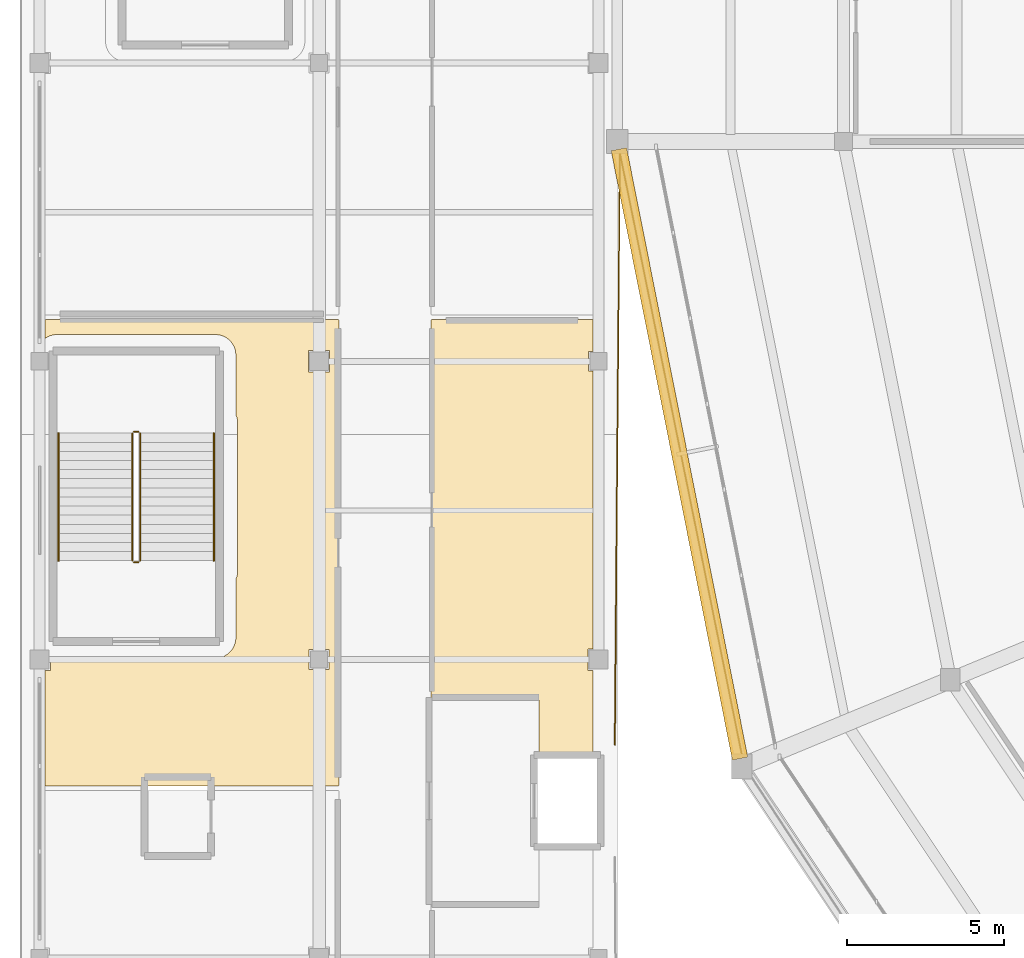
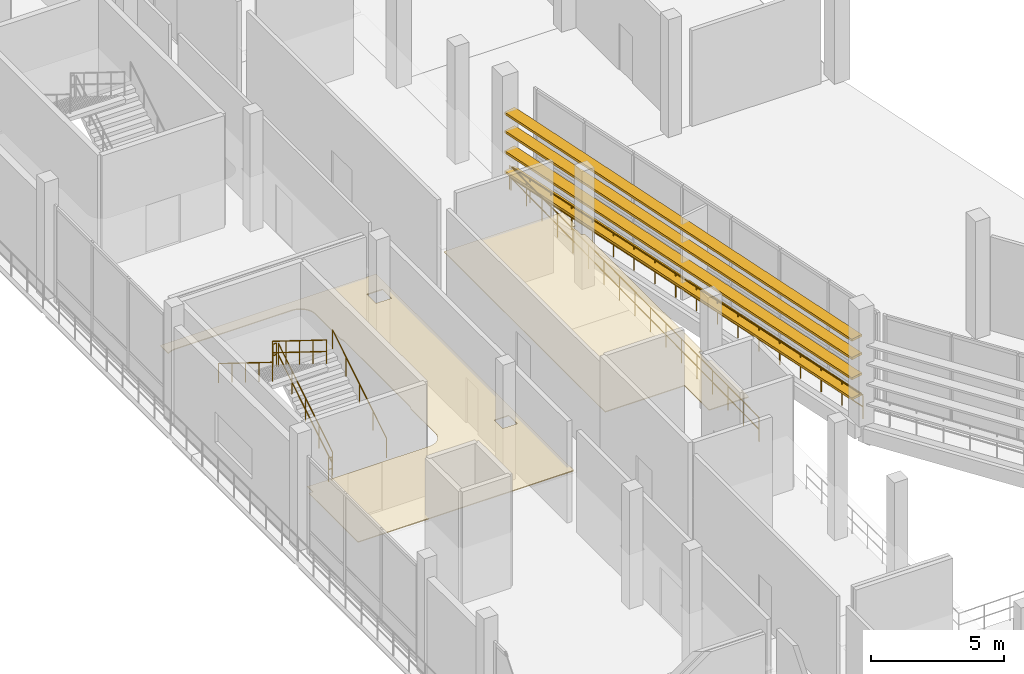
# One storey, part 90 of 111: 8 railings, 4 shading devices, 2 coverings.
"""IFC4 building model written with IfcOpenShell, lengths in metres."""

from ifc_helpers import new_model, si_unit, direction, frame, origin, origin_2d, place, context, subcontext, project, spatial, polyline, rectangle, circle, outline, extrude, material, layer, layer_set, type_object, element, save


model = new_model("IFC4")

# Units and contexts
model_context = context("Model", 3, precision=1e-05, world=origin(), true_north=direction((0.0, 1.0)))
body_context = subcontext(model_context, "Body", "Model", "MODEL_VIEW")
ifc_project = project(units=[si_unit("LENGTHUNIT", "METRE"), si_unit("AREAUNIT", "SQUARE_METRE"), si_unit("VOLUMEUNIT", "CUBIC_METRE"), si_unit("PLANEANGLEUNIT", "RADIAN"), si_unit("MASSUNIT", "GRAM", prefix="KILO")], contexts=[model_context])

# Site, building, storey
site_placement = place(None, origin())
site = spatial("IfcSite", under=ifc_project, at=site_placement, CompositionType="ELEMENT")
building_placement = place(site_placement, origin())
building = spatial("IfcBuilding", under=site, at=building_placement, Name="Candeia Ridge Stadium", CompositionType="ELEMENT")
storey_placement = place(building_placement, frame((0.0, 0.0, 16.199951171875)))
storey = spatial("IfcBuildingStorey", under=building, at=storey_placement, Name="L03", CompositionType="ELEMENT", Elevation=16.199951171875)

# Coverings
ifc_material_1 = material(Name="Western Red Cedar Acoustic Slat", Category="wood")
ifc_layer_1 = layer(ifc_material_1, 0.044921875, Name="Western Red Cedar Acoustic Slat", Category="wood")
ifc_layer_set_1 = layer_set([ifc_layer_1], Name="Western Red Cedar Acoustic Slat")
covering_type = type_object("IfcCoveringType", Name="Slatted Cedar Acoustic Ceiling 45", PredefinedType="CEILING", material=ifc_layer_set_1)
covering_1_placement = place(storey_placement, frame((0.0, 0.0, 2.510009765625)))
element("IfcCovering", 1, at=covering_1_placement, inside=storey, type_object=covering_type, Name="Acoustic ceiling Executive Skybox Suite W03", PredefinedType="CEILING", context=body_context, shape_type="SweptSolid", body=[
    extrude(outline(polyline([(0.794189453125, 50.470703125), (0.791259765625, 50.47119140625), (0.78857421875, 50.472412109375), (0.785888671875, 50.473388671875), (0.783203125, 50.47509765625), (0.781005859375, 50.476806640625), (0.77880859375, 50.478759765625), (0.77685546875, 50.48095703125), (0.775146484375, 50.4833984375), (0.7734375, 50.48583984375), (0.772216796875, 50.488525390625), (0.771240234375, 50.4912109375), (0.7705078125, 50.494140625), (0.77001953125, 50.4970703125), (0.77001953125, 50.5), (0.77001953125, 54.159912109375), (0.93994140625, 54.159912109375), (0.93994140625, 54.585205078125), (0.945068359375, 54.58349609375), (0.977783203125, 54.573486328125), (1.00634765625, 54.56640625), (1.0400390625, 54.5595703125), (1.069091796875, 54.55517578125), (1.103515625, 54.552001953125), (1.1328125, 54.55029296875), (1.14990234375, 54.550048828125), (6.199951171875, 54.550048828125), (6.21728515625, 54.55029296875), (6.24658203125, 54.552001953125), (6.28076171875, 54.55517578125), (6.309814453125, 54.5595703125), (6.343505859375, 54.56640625), (6.3720703125, 54.573486328125), (6.405029296875, 54.58349609375), (6.4326171875, 54.59326171875), (6.46435546875, 54.6064453125), (6.4912109375, 54.618896484375), (6.521484375, 54.63525390625), (6.546630859375, 54.650390625), (6.5751953125, 54.66943359375), (6.598876953125, 54.68701171875), (6.62548828125, 54.708740234375), (6.647216796875, 54.728515625), (6.67138671875, 54.752685546875), (6.691162109375, 54.774658203125), (6.712890625, 54.80126953125), (6.730712890625, 54.82470703125), (6.74951171875, 54.853515625), (6.764892578125, 54.878662109375), (6.781005859375, 54.908935546875), (6.793701171875, 54.935546875), (6.806640625, 54.96728515625), (6.816650390625, 54.9951171875), (6.82666015625, 55.02783203125), (6.833740234375, 55.056396484375), (6.84033203125, 55.090087890625), (6.8447265625, 55.119140625), (6.84814453125, 55.1533203125), (6.849609375, 55.182861328125), (6.85009765625, 55.199951171875), (6.85009765625, 57.070556640625), (6.858642578125, 57.0849609375), (6.873291015625, 57.1162109375), (6.885009765625, 57.1484375), (6.893310546875, 57.181640625), (6.898193359375, 57.2158203125), (6.89990234375, 57.25), (6.89990234375, 62.110107421875), (6.898193359375, 62.144287109375), (6.893310546875, 62.17822265625), (6.885009765625, 62.211669921875), (6.873291015625, 62.243896484375), (6.858642578125, 62.27490234375), (6.85009765625, 62.28955078125), (6.85009765625, 64.199951171875), (6.849609375, 64.21728515625), (6.84814453125, 64.24658203125), (6.8447265625, 64.28076171875), (6.84033203125, 64.309814453125), (6.833740234375, 64.343505859375), (6.82666015625, 64.3720703125), (6.816650390625, 64.405029296875), (6.806640625, 64.4326171875), (6.793701171875, 64.46435546875), (6.781005859375, 64.4912109375), (6.764892578125, 64.521484375), (6.74951171875, 64.546630859375), (6.730712890625, 64.5751953125), (6.712890625, 64.598876953125), (6.691162109375, 64.62548828125), (6.67138671875, 64.647216796875), (6.647216796875, 64.67138671875), (6.62548828125, 64.691162109375), (6.598876953125, 64.712890625), (6.5751953125, 64.730712890625), (6.546630859375, 64.74951171875), (6.521484375, 64.764892578125), (6.4912109375, 64.781005859375), (6.46435546875, 64.793701171875), (6.4326171875, 64.806640625), (6.405029296875, 64.816650390625), (6.3720703125, 64.82666015625), (6.343505859375, 64.833740234375), (6.309814453125, 64.84033203125), (6.28076171875, 64.8447265625), (6.24658203125, 64.84814453125), (6.21728515625, 64.849609375), (6.199951171875, 64.85009765625), (1.14990234375, 64.85009765625), (1.1328125, 64.849609375), (1.103515625, 64.84814453125), (1.069091796875, 64.8447265625), (1.0400390625, 64.84033203125), (1.00634765625, 64.833740234375), (0.977783203125, 64.82666015625), (0.945068359375, 64.816650390625), (0.917236328125, 64.806640625), (0.885498046875, 64.793701171875), (0.85888671875, 64.781005859375), (0.82861328125, 64.764892578125), (0.803466796875, 64.74951171875), (0.77490234375, 64.730712890625), (0.77001953125, 64.72705078125), (0.77001953125, 65.300048828125), (0.77001953125, 65.302978515625), (0.7705078125, 65.305908203125), (0.771240234375, 65.30859375), (0.772216796875, 65.3115234375), (0.7734375, 65.314208984375), (0.775146484375, 65.316650390625), (0.77685546875, 65.319091796875), (0.77880859375, 65.3212890625), (0.781005859375, 65.3232421875), (0.783203125, 65.324951171875), (0.785888671875, 65.326416015625), (0.78857421875, 65.32763671875), (0.791259765625, 65.32861328125), (0.794189453125, 65.329345703125), (0.797119140625, 65.329833984375), (0.800048828125, 65.330078125), (10.10009765625, 65.330078125), (10.102783203125, 65.329833984375), (10.10595703125, 65.329345703125), (10.108642578125, 65.32861328125), (10.111572265625, 65.32763671875), (10.114013671875, 65.326416015625), (10.11669921875, 65.324951171875), (10.118896484375, 65.3232421875), (10.12109375, 65.3212890625), (10.123291015625, 65.319091796875), (10.125, 65.316650390625), (10.12646484375, 65.314208984375), (10.127685546875, 65.3115234375), (10.128662109375, 65.30859375), (10.12939453125, 65.305908203125), (10.1298828125, 65.302978515625), (10.1298828125, 65.300048828125), (10.1298828125, 50.5), (10.1298828125, 50.4970703125), (10.12939453125, 50.494140625), (10.128662109375, 50.4912109375), (10.127685546875, 50.488525390625), (10.12646484375, 50.48583984375), (10.125, 50.4833984375), (10.123291015625, 50.48095703125), (10.12109375, 50.478759765625), (10.118896484375, 50.476806640625), (10.11669921875, 50.47509765625), (10.114013671875, 50.473388671875), (10.111572265625, 50.472412109375), (10.108642578125, 50.47119140625), (10.10595703125, 50.470703125), (10.102783203125, 50.47021484375), (10.10009765625, 50.469970703125), (0.800048828125, 50.469970703125), (0.797119140625, 50.47021484375), (0.794189453125, 50.470703125)]), holes=[polyline([(9.18505859375, 54.81494140625), (9.18505859375, 54.18505859375), (9.81494140625, 54.18505859375), (9.81494140625, 54.81494140625), (9.18505859375, 54.81494140625)]), polyline([(9.159912109375, 64.340087890625), (9.159912109375, 63.659912109375), (9.840087890625, 63.659912109375), (9.840087890625, 64.340087890625), (9.159912109375, 64.340087890625)])]), origin(), (0.0, 0.0, 1.0), 0.0400390625),
])
covering_2_placement = place(storey_placement, frame((0.0, 0.0, 2.510009765625)))
element("IfcCovering", 2, at=covering_2_placement, inside=storey, type_object=covering_type, Name="Acoustic ceiling Executive Skybox Suite W03 Pitchside Suite", PredefinedType="CEILING", context=body_context, shape_type="SweptSolid", body=[
    extrude(outline(polyline([(13.070556640625, 65.305908203125), (13.0712890625, 65.30859375), (13.072265625, 65.3115234375), (13.073486328125, 65.314208984375), (13.0751953125, 65.316650390625), (13.076904296875, 65.319091796875), (13.078857421875, 65.3212890625), (13.0810546875, 65.3232421875), (13.083251953125, 65.324951171875), (13.0859375, 65.326416015625), (13.08837890625, 65.32763671875), (13.09130859375, 65.32861328125), (13.093994140625, 65.329345703125), (13.09716796875, 65.329833984375), (13.10009765625, 65.330078125), (18.199951171875, 65.330078125), (18.202880859375, 65.329833984375), (18.205810546875, 65.329345703125), (18.208740234375, 65.32861328125), (18.21142578125, 65.32763671875), (18.214111328125, 65.326416015625), (18.216796875, 65.324951171875), (18.218994140625, 65.3232421875), (18.22119140625, 65.3212890625), (18.22314453125, 65.319091796875), (18.224853515625, 65.316650390625), (18.2265625, 65.314208984375), (18.227783203125, 65.3115234375), (18.228759765625, 65.30859375), (18.2294921875, 65.305908203125), (18.22998046875, 65.302978515625), (18.22998046875, 65.300048828125), (18.22998046875, 64.31494140625), (18.0849609375, 64.31494140625), (18.0849609375, 63.68505859375), (18.22998046875, 63.68505859375), (18.22998046875, 54.840087890625), (18.06005859375, 54.840087890625), (18.06005859375, 54.159912109375), (18.22998046875, 54.159912109375), (18.22998046875, 51.389892578125), (18.22998046875, 51.38720703125), (18.2294921875, 51.384033203125), (18.228759765625, 51.38134765625), (18.227783203125, 51.37841796875), (18.2265625, 51.3759765625), (18.224853515625, 51.373291015625), (18.22314453125, 51.37109375), (18.22119140625, 51.368896484375), (18.218994140625, 51.36669921875), (18.216796875, 51.364990234375), (18.214111328125, 51.363525390625), (18.21142578125, 51.3623046875), (18.208740234375, 51.361328125), (18.205810546875, 51.360595703125), (18.202880859375, 51.360107421875), (18.199951171875, 51.360107421875), (16.5400390625, 51.360107421875), (16.537109375, 51.360107421875), (16.5341796875, 51.360595703125), (16.53125, 51.361328125), (16.528564453125, 51.3623046875), (16.52587890625, 51.363525390625), (16.523193359375, 51.364990234375), (16.52099609375, 51.36669921875), (16.518798828125, 51.368896484375), (16.516845703125, 51.37109375), (16.51513671875, 51.373291015625), (16.513427734375, 51.3759765625), (16.51220703125, 51.37841796875), (16.51123046875, 51.38134765625), (16.510498046875, 51.384033203125), (16.510009765625, 51.38720703125), (16.510009765625, 51.389892578125), (16.510009765625, 53.19921875), (16.510009765625, 53.20068359375), (16.509765625, 53.2021484375), (16.509521484375, 53.203125), (16.50927734375, 53.203857421875), (16.5087890625, 53.20458984375), (16.50830078125, 53.205322265625), (16.5078125, 53.206298828125), (16.507080078125, 53.20703125), (16.50634765625, 53.207763671875), (16.50537109375, 53.20849609375), (16.504638671875, 53.208740234375), (16.50390625, 53.209228515625), (16.503173828125, 53.20947265625), (16.502197265625, 53.209716796875), (16.500732421875, 53.2099609375), (16.499267578125, 53.2099609375), (13.10009765625, 53.2099609375), (13.09716796875, 53.210205078125), (13.093994140625, 53.210693359375), (13.09130859375, 53.211181640625), (13.08837890625, 53.21240234375), (13.0859375, 53.21337890625), (13.083251953125, 53.215087890625), (13.0810546875, 53.216796875), (13.078857421875, 53.21875), (13.076904296875, 53.220947265625), (13.0751953125, 53.223388671875), (13.073486328125, 53.225830078125), (13.072265625, 53.228515625), (13.0712890625, 53.231201171875), (13.070556640625, 53.234130859375), (13.070068359375, 53.237060546875), (13.070068359375, 53.239990234375), (13.070068359375, 65.300048828125), (13.070068359375, 65.302978515625), (13.070556640625, 65.305908203125)])), origin(), (0.0, 0.0, 1.0), 0.0400390625),
])

# Railings
ifc_material_2 = material(Name="Galvanized Powder-Coated Steel", Category="steel")
ifc_layer_2 = layer(ifc_material_2, 0.074951171875, Name="Galvanized Powder-Coated Steel", Category="steel")
ifc_layer_set_2 = layer_set([ifc_layer_2], Name="Galvanized Powder-Coated Steel")
railing_type_1 = type_object("IfcRailingType", Name="Spectator Bowl Front Guardrail 1120", PredefinedType="GUARDRAIL", material=ifc_layer_set_2)
railing_1_placement = place(storey_placement, frame((23.036865234375, 51.1162109375, 0.0)))
element("IfcRailing", 3, at=railing_1_placement, inside=storey, type_object=railing_type_1, Name="Deck edge safety guardrail GR-DE-L03-0183", PredefinedType="GUARDRAIL", context=body_context, shape_type="SweptSolid", body=[
    extrude(circle(Radius=0.02392578125, at=origin_2d()), frame((0.0, 0.0, 1.09619140625), z_axis=(-0.198632089417, 0.980074126306, 0.0), x_axis=(-0.980074126306, -0.198632089417, 0.0)), (0.0, 0.0, 1.0), 20.055419921875),
    extrude(circle(Radius=0.02392578125, at=origin_2d()), frame((0.0, 0.0, 0.56005859375), z_axis=(-0.198632089417, 0.980074126306, 0.0), x_axis=(-0.980074126306, -0.198632089417, 0.0)), (0.0, 0.0, 1.0), 20.055419921875),
    extrude(circle(Radius=0.02099609375, at=origin_2d()), origin(), (0.0, 0.0, 1.0), 1.072021484375),
    extrude(circle(Radius=0.02099609375, at=origin_2d()), frame((-0.234375, 1.15625, 0.0)), (0.0, 0.0, 1.0), 1.072021484375),
    extrude(circle(Radius=0.02099609375, at=origin_2d()), frame((-0.46875, 2.3125, 0.0)), (0.0, 0.0, 1.0), 1.072021484375),
    extrude(circle(Radius=0.02099609375, at=origin_2d()), frame((-0.702880859375, 3.46875, 0.0)), (0.0, 0.0, 1.0), 1.072021484375),
    extrude(circle(Radius=0.02099609375, at=origin_2d()), frame((-0.937255859375, 4.625, 0.0)), (0.0, 0.0, 1.0), 1.072021484375),
    extrude(circle(Radius=0.02099609375, at=origin_2d()), frame((-1.171630859375, 5.781005859375, 0.0)), (0.0, 0.0, 1.0), 1.072021484375),
    extrude(circle(Radius=0.02099609375, at=origin_2d()), frame((-1.406005859375, 6.937255859375, 0.0)), (0.0, 0.0, 1.0), 1.072021484375),
    extrude(circle(Radius=0.02099609375, at=origin_2d()), frame((-1.640380859375, 8.093505859375, 0.0)), (0.0, 0.0, 1.0), 1.072021484375),
    extrude(circle(Radius=0.02099609375, at=origin_2d()), frame((-1.874755859375, 9.249755859375, 0.0)), (0.0, 0.0, 1.0), 1.072021484375),
    extrude(circle(Radius=0.02099609375, at=origin_2d()), frame((-2.10888671875, 10.406005859375, 0.0)), (0.0, 0.0, 1.0), 1.072021484375),
    extrude(circle(Radius=0.02099609375, at=origin_2d()), frame((-2.34326171875, 11.562255859375, 0.0)), (0.0, 0.0, 1.0), 1.072021484375),
    extrude(circle(Radius=0.02099609375, at=origin_2d()), frame((-2.57763671875, 12.718505859375, 0.0)), (0.0, 0.0, 1.0), 1.072021484375),
    extrude(circle(Radius=0.02099609375, at=origin_2d()), frame((-2.81201171875, 13.874755859375, 0.0)), (0.0, 0.0, 1.0), 1.072021484375),
    extrude(circle(Radius=0.02099609375, at=origin_2d()), frame((-3.04638671875, 15.03076171875, 0.0)), (0.0, 0.0, 1.0), 1.072021484375),
    extrude(circle(Radius=0.02099609375, at=origin_2d()), frame((-3.28076171875, 16.18701171875, 0.0)), (0.0, 0.0, 1.0), 1.072021484375),
    extrude(circle(Radius=0.02099609375, at=origin_2d()), frame((-3.514892578125, 17.34326171875, 0.0)), (0.0, 0.0, 1.0), 1.072021484375),
    extrude(circle(Radius=0.02099609375, at=origin_2d()), frame((-3.749267578125, 18.49951171875, 0.0)), (0.0, 0.0, 1.0), 1.072021484375),
    extrude(circle(Radius=0.02099609375, at=origin_2d()), frame((-3.983642578125, 19.65576171875, 0.0)), (0.0, 0.0, 1.0), 1.072021484375),
])
railing_2_placement = place(storey_placement, frame((19.080078125, 70.686279296875, 0.0)))
element("IfcRailing", 4, at=railing_2_placement, inside=storey, type_object=railing_type_1, Name="Deck edge safety guardrail GR-DE-L03-0184", PredefinedType="GUARDRAIL", context=body_context, shape_type="SweptSolid", body=[
    extrude(circle(Radius=0.02392578125, at=origin_2d()), frame((0.0, 0.0, 1.09619140625), z_axis=(-0.008472958565, -0.999964103842, 0.0), x_axis=(0.999964103842, -0.008472958565, 0.0)), (0.0, 0.0, 1.0), 18.902099609375),
    extrude(circle(Radius=0.02392578125, at=origin_2d()), frame((0.0, 0.0, 0.56005859375), z_axis=(-0.008472958565, -0.999964103842, 0.0), x_axis=(0.999964103842, -0.008472958565, 0.0)), (0.0, 0.0, 1.0), 18.902099609375),
    extrude(circle(Radius=0.02099609375, at=origin_2d()), origin(), (0.0, 0.0, 1.0), 1.072021484375),
    extrude(circle(Radius=0.02099609375, at=origin_2d()), frame((-0.010009765625, -1.181396484375, 0.0)), (0.0, 0.0, 1.0), 1.072021484375),
    extrude(circle(Radius=0.02099609375, at=origin_2d()), frame((-0.02001953125, -2.36279296875, 0.0)), (0.0, 0.0, 1.0), 1.072021484375),
    extrude(circle(Radius=0.02099609375, at=origin_2d()), frame((-0.030029296875, -3.5439453125, 0.0)), (0.0, 0.0, 1.0), 1.072021484375),
    extrude(circle(Radius=0.02099609375, at=origin_2d()), frame((-0.0400390625, -4.725341796875, 0.0)), (0.0, 0.0, 1.0), 1.072021484375),
    extrude(circle(Radius=0.02099609375, at=origin_2d()), frame((-0.050048828125, -5.90673828125, 0.0)), (0.0, 0.0, 1.0), 1.072021484375),
    extrude(circle(Radius=0.02099609375, at=origin_2d()), frame((-0.06005859375, -7.087890625, 0.0)), (0.0, 0.0, 1.0), 1.072021484375),
    extrude(circle(Radius=0.02099609375, at=origin_2d()), frame((-0.070068359375, -8.269287109375, 0.0)), (0.0, 0.0, 1.0), 1.072021484375),
    extrude(circle(Radius=0.02099609375, at=origin_2d()), frame((-0.080078125, -9.45068359375, 0.0)), (0.0, 0.0, 1.0), 1.072021484375),
    extrude(circle(Radius=0.02099609375, at=origin_2d()), frame((-0.090087890625, -10.632080078125, 0.0)), (0.0, 0.0, 1.0), 1.072021484375),
    extrude(circle(Radius=0.02099609375, at=origin_2d()), frame((-0.10009765625, -11.8134765625, 0.0)), (0.0, 0.0, 1.0), 1.072021484375),
    extrude(circle(Radius=0.02099609375, at=origin_2d()), frame((-0.110107421875, -12.99462890625, 0.0)), (0.0, 0.0, 1.0), 1.072021484375),
    extrude(circle(Radius=0.02099609375, at=origin_2d()), frame((-0.1201171875, -14.176025390625, 0.0)), (0.0, 0.0, 1.0), 1.072021484375),
    extrude(circle(Radius=0.02099609375, at=origin_2d()), frame((-0.130126953125, -15.357421875, 0.0)), (0.0, 0.0, 1.0), 1.072021484375),
    extrude(circle(Radius=0.02099609375, at=origin_2d()), frame((-0.14013671875, -16.53857421875, 0.0)), (0.0, 0.0, 1.0), 1.072021484375),
    extrude(circle(Radius=0.02099609375, at=origin_2d()), frame((-0.150146484375, -17.719970703125, 0.0)), (0.0, 0.0, 1.0), 1.072021484375),
    extrude(circle(Radius=0.02099609375, at=origin_2d()), frame((-0.16015625, -18.9013671875, 0.0)), (0.0, 0.0, 1.0), 1.072021484375),
])
ifc_material_3 = material(Name="Brushed Stainless Steel", Category="steel")
ifc_layer_3 = layer(ifc_material_3, 0.048095703125, Name="Brushed Stainless Steel", Category="steel")
ifc_layer_set_3 = layer_set([ifc_layer_3], Name="Brushed Stainless Steel")
railing_type_2 = type_object("IfcRailingType", Name="Stair Wall & Flight Handrail 900", PredefinedType="HANDRAIL", material=ifc_layer_set_3)
railing_3_placement = place(storey_placement, frame((6.14990234375, 57.64990234375, 0.179931640625)))
element("IfcRailing", 5, at=railing_3_placement, inside=storey, type_object=railing_type_2, Name="L03 ST05 stair handrail 1", PredefinedType="HANDRAIL", context=body_context, shape_type="SweptSolid", body=[
    extrude(circle(Radius=0.02392578125, at=origin_2d()), frame((0.0, 0.0, 0.8759765625), z_axis=(0.0, 0.849641744969, 0.527360318194), x_axis=(-1.0, 0.0, 0.0)), (0.0, 0.0, 1.0), 4.778564453125),
    extrude(circle(Radius=0.02099609375, at=origin_2d()), origin(), (0.0, 0.0, 1.0), 0.851806640625),
    extrude(circle(Radius=0.02099609375, at=origin_2d()), frame((0.0, 1.01513671875, 0.6298828125)), (0.0, 0.0, 1.0), 0.851806640625),
    extrude(circle(Radius=0.02099609375, at=origin_2d()), frame((0.0, 2.030029296875, 1.260009765625)), (0.0, 0.0, 1.0), 0.851806640625),
    extrude(circle(Radius=0.02099609375, at=origin_2d()), frame((0.0, 3.044921875, 1.89013671875)), (0.0, 0.0, 1.0), 0.851806640625),
    extrude(circle(Radius=0.02099609375, at=origin_2d()), frame((0.0, 4.06005859375, 2.52001953125)), (0.0, 0.0, 1.0), 0.851806640625),
])
railing_4_placement = place(storey_placement, frame((1.199951171875, 61.7099609375, 2.880126953125)))
element("IfcRailing", 6, at=railing_4_placement, inside=storey, type_object=railing_type_2, Name="L03 ST05 stair handrail 2", PredefinedType="HANDRAIL", context=body_context, shape_type="SweptSolid", body=[
    extrude(circle(Radius=0.02392578125, at=origin_2d()), frame((0.0, 0.0, 0.8759765625), z_axis=(0.0, -0.849641744969, 0.527360318194), x_axis=(1.0, 0.0, 0.0)), (0.0, 0.0, 1.0), 4.778564453125),
    extrude(circle(Radius=0.02099609375, at=origin_2d()), origin(), (0.0, 0.0, 1.0), 0.851806640625),
    extrude(circle(Radius=0.02099609375, at=origin_2d()), frame((0.0, -1.01513671875, 0.6298828125)), (0.0, 0.0, 1.0), 0.851806640625),
    extrude(circle(Radius=0.02099609375, at=origin_2d()), frame((0.0, -2.030029296875, 1.260009765625)), (0.0, 0.0, 1.0), 0.851806640625),
    extrude(circle(Radius=0.02099609375, at=origin_2d()), frame((0.0, -3.044921875, 1.89013671875)), (0.0, 0.0, 1.0), 0.851806640625),
    extrude(circle(Radius=0.02099609375, at=origin_2d()), frame((0.0, -4.06005859375, 2.52001953125)), (0.0, 0.0, 1.0), 0.851806640625),
])
ifc_layer_4 = layer(ifc_material_2, 0.06005859375, Name="Galvanized Powder-Coated Steel", Category="steel")
ifc_layer_set_4 = layer_set([ifc_layer_4], Name="Galvanized Powder-Coated Steel")
railing_type_3 = type_object("IfcRailingType", Name="Stair Well Guardrail 1100", PredefinedType="GUARDRAIL", material=ifc_layer_set_4)
railing_5_placement = place(storey_placement, frame((3.800048828125, 57.64990234375, 0.179931640625)))
element("IfcRailing", 7, at=railing_5_placement, inside=storey, type_object=railing_type_3, Name="L03 ST05 stair guard 1", PredefinedType="GUARDRAIL", context=body_context, shape_type="SweptSolid", body=[
    extrude(circle(Radius=0.02392578125, at=origin_2d()), frame((0.0, 0.0, 1.076171875), z_axis=(0.0, 0.849641744969, 0.527360318194), x_axis=(-1.0, 0.0, 0.0)), (0.0, 0.0, 1.0), 4.778564453125),
    extrude(circle(Radius=0.02392578125, at=origin_2d()), frame((0.0, 0.0, 0.550048828125), z_axis=(0.0, 0.849641744969, 0.527360318194), x_axis=(-1.0, 0.0, 0.0)), (0.0, 0.0, 1.0), 4.778564453125),
    extrude(circle(Radius=0.02099609375, at=origin_2d()), origin(), (0.0, 0.0, 1.0), 1.052001953125),
    extrude(circle(Radius=0.02099609375, at=origin_2d()), frame((0.0, 1.01513671875, 0.6298828125)), (0.0, 0.0, 1.0), 1.052001953125),
    extrude(circle(Radius=0.02099609375, at=origin_2d()), frame((0.0, 2.030029296875, 1.260009765625)), (0.0, 0.0, 1.0), 1.052001953125),
    extrude(circle(Radius=0.02099609375, at=origin_2d()), frame((0.0, 3.044921875, 1.89013671875)), (0.0, 0.0, 1.0), 1.052001953125),
    extrude(circle(Radius=0.02099609375, at=origin_2d()), frame((0.0, 4.06005859375, 2.52001953125)), (0.0, 0.0, 1.0), 1.052001953125),
])
railing_6_placement = place(storey_placement, frame((3.75, 61.760009765625, 2.699951171875)))
element("IfcRailing", 8, at=railing_6_placement, inside=storey, type_object=railing_type_3, Name="L03 ST05 stair guard 2", PredefinedType="GUARDRAIL", context=body_context, shape_type="SweptSolid", body=[
    extrude(circle(Radius=0.02392578125, at=origin_2d()), frame((0.0, 0.0, 1.076171875), z_axis=(-1.0, 0.0, 0.0), x_axis=(0.0, -1.0, 0.0)), (0.0, 0.0, 1.0), 0.14990234375),
    extrude(circle(Radius=0.02392578125, at=origin_2d()), frame((0.0, 0.0, 0.550048828125), z_axis=(-1.0, 0.0, 0.0), x_axis=(0.0, -1.0, 0.0)), (0.0, 0.0, 1.0), 0.14990234375),
    extrude(circle(Radius=0.02099609375, at=origin_2d()), origin(), (0.0, 0.0, 1.0), 1.052001953125),
    extrude(circle(Radius=0.02099609375, at=origin_2d()), frame((-0.14990234375, 0.0, 0.0)), (0.0, 0.0, 1.0), 1.052001953125),
])
railing_7_placement = place(storey_placement, frame((3.550048828125, 61.7099609375, 2.880126953125)))
element("IfcRailing", 9, at=railing_7_placement, inside=storey, type_object=railing_type_3, Name="L03 ST05 stair guard 3", PredefinedType="GUARDRAIL", context=body_context, shape_type="SweptSolid", body=[
    extrude(circle(Radius=0.02392578125, at=origin_2d()), frame((0.0, 0.0, 1.076171875), z_axis=(0.0, -0.849641744969, 0.527360318194), x_axis=(1.0, 0.0, 0.0)), (0.0, 0.0, 1.0), 4.778564453125),
    extrude(circle(Radius=0.02392578125, at=origin_2d()), frame((0.0, 0.0, 0.550048828125), z_axis=(0.0, -0.849641744969, 0.527360318194), x_axis=(1.0, 0.0, 0.0)), (0.0, 0.0, 1.0), 4.778564453125),
    extrude(circle(Radius=0.02099609375, at=origin_2d()), origin(), (0.0, 0.0, 1.0), 1.052001953125),
    extrude(circle(Radius=0.02099609375, at=origin_2d()), frame((0.0, -1.01513671875, 0.6298828125)), (0.0, 0.0, 1.0), 1.052001953125),
    extrude(circle(Radius=0.02099609375, at=origin_2d()), frame((0.0, -2.030029296875, 1.260009765625)), (0.0, 0.0, 1.0), 1.052001953125),
    extrude(circle(Radius=0.02099609375, at=origin_2d()), frame((0.0, -3.044921875, 1.89013671875)), (0.0, 0.0, 1.0), 1.052001953125),
    extrude(circle(Radius=0.02099609375, at=origin_2d()), frame((0.0, -4.06005859375, 2.52001953125)), (0.0, 0.0, 1.0), 1.052001953125),
])
railing_8_placement = place(storey_placement, frame((3.75, 57.60009765625, 0.0)))
element("IfcRailing", 10, at=railing_8_placement, inside=storey, type_object=railing_type_3, Name="L03 ST05 stair guard 4", PredefinedType="GUARDRAIL", context=body_context, shape_type="SweptSolid", body=[
    extrude(circle(Radius=0.02392578125, at=origin_2d()), frame((0.0, 0.0, 1.076171875), z_axis=(-1.0, 0.0, 0.0), x_axis=(0.0, -1.0, 0.0)), (0.0, 0.0, 1.0), 0.14990234375),
    extrude(circle(Radius=0.02392578125, at=origin_2d()), frame((0.0, 0.0, 0.550048828125), z_axis=(-1.0, 0.0, 0.0), x_axis=(0.0, -1.0, 0.0)), (0.0, 0.0, 1.0), 0.14990234375),
    extrude(circle(Radius=0.02099609375, at=origin_2d()), origin(), (0.0, 0.0, 1.0), 1.052001953125),
    extrude(circle(Radius=0.02099609375, at=origin_2d()), frame((-0.14990234375, 0.0, 0.0)), (0.0, 0.0, 1.0), 1.052001953125),
])

# Shading devices
ifc_material_4 = material(Name="Aluminium Anodized Warm Bronze", Category="aluminium")
shading_device_type = type_object("IfcShadingDeviceType", Name="Weathered Bronze Horizontal Solar Rib 500x105", PredefinedType="JALOUSIE", material=ifc_material_4)
for number, where, z_axis, x_axis, name in (
    (11, (20.979248046875, 61.05029296875, 0.87255859375), (0.0, 0.0, 1.0), (0.195090311899, -0.980785282416, 0.0), "Weathered bronze horizontal solar rib L03 bay 15-1"),
    (12, (20.979248046875, 61.05029296875, 1.7978515625), (0.0, 0.0, 1.0), (0.195090311899, -0.980785282416, 0.0), "Weathered bronze horizontal solar rib L03 bay 15-2"),
    (13, (20.979248046875, 61.05029296875, 2.722900390625), (0.0, 0.0, 1.0), (0.195090311899, -0.980785282416, 0.0), "Weathered bronze horizontal solar rib L03 bay 15-3"),
    (14, (20.979248046875, 61.05029296875, 3.56396484375), (0.0, 0.0, 1.0), (0.195090311899, -0.980785282416, 0.0), "Weathered bronze horizontal solar rib L03 bay 15-4"),
):
    element("IfcShadingDevice", number, at=place(storey_placement, frame(where, z_axis=z_axis, x_axis=x_axis)), inside=storey, type_object=shading_device_type, Name=name, PredefinedType="JALOUSIE", context=body_context, shape_type="SweptSolid", body=[
        extrude(rectangle(XDim=19.789306640625, YDim=0.5, at=origin_2d()), origin(), (0.0, 0.0, 1.0), 0.10498046875),
    ])

save(model, "model.ifc")
